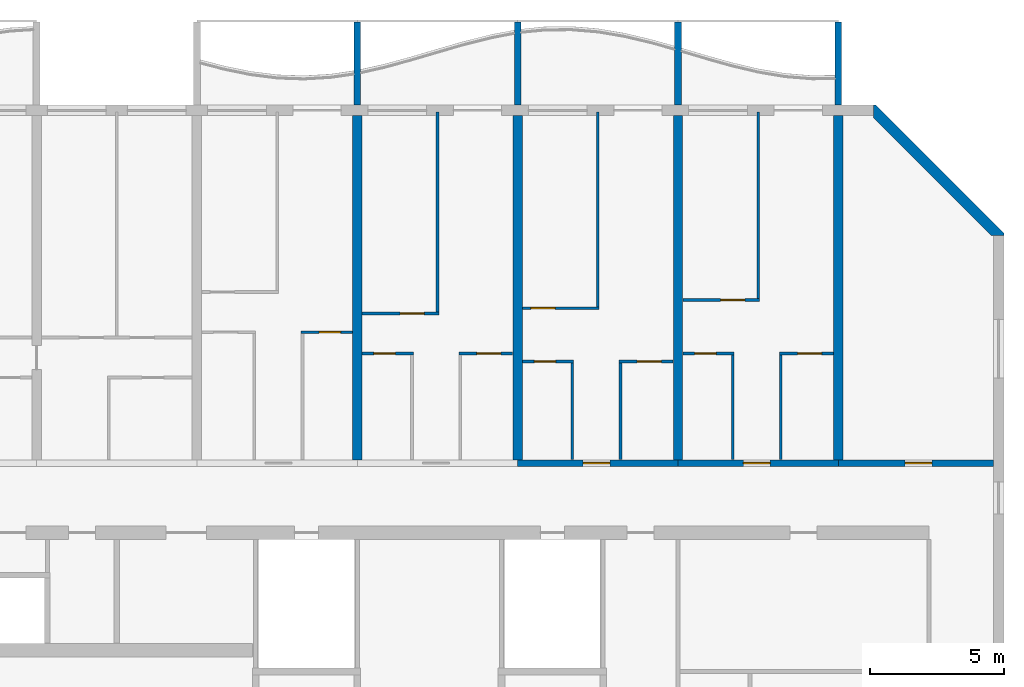
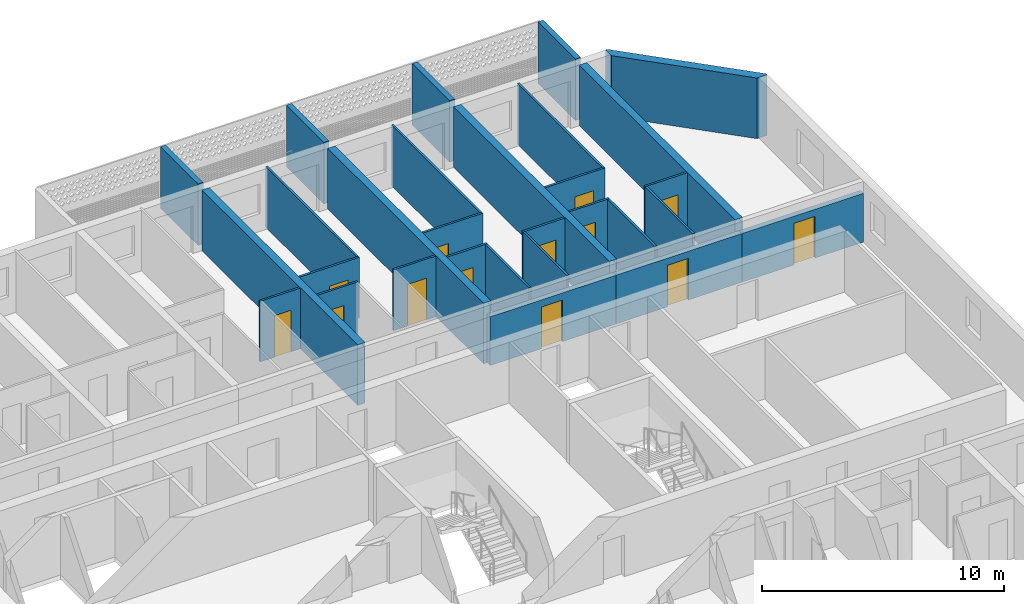
# One storey, part 15 of 27: 29 walls, 13 doors, 13 openings.
"""IFC4 building model written with IfcOpenShell, lengths in metres."""

import ifcopenshell
import ifcopenshell.guid

model = None  # the IFC model being written
_history = None  # IfcOwnerHistory: only IFC2X3 demands one
_inside = {}  # id of a spatial element -> (the spatial element, [elements in it])
_under = {}  # id of a project, library or spatial element -> (it, [spatial elements below it])
_declared = {}  # id of a project -> (the project, [libraries it declares])
_typed = {}  # id of a type object -> (the type object, [elements of that type])
_made_of = {}  # id of a material, layer set ... -> (it, [elements and type objects made of it])


def new_model(schema):
    """Start an empty IFC model of exactly this schema.

    Asked for "IFC4X3", IfcOpenShell would pick the latest addendum, in which some entities
    have other attributes; the version numbers below select the first issue.
    IFC2X3 requires an IfcOwnerHistory on every rooted entity: one is made here for all.
    """
    global model, _history
    if schema == "IFC4X3":
        model = ifcopenshell.file(schema_version=(4, 3, 0, 0))
    else:
        model = ifcopenshell.file(schema=schema)
    _inside.clear()
    _under.clear()
    _declared.clear()
    _typed.clear()
    _made_of.clear()
    _history = None
    if model.schema == "IFC2X3":
        org = make("IfcOrganization", Name="unknown")
        user = make(
            "IfcPersonAndOrganization",
            ThePerson=make("IfcPerson", FamilyName="unknown"),
            TheOrganization=org,
        )
        app = make(
            "IfcApplication",
            ApplicationDeveloper=org,
            Version="unknown",
            ApplicationFullName="unknown",
            ApplicationIdentifier="unknown",
        )
        _history = make(
            "IfcOwnerHistory",
            OwningUser=user,
            OwningApplication=app,
            ChangeAction="ADDED",
            CreationDate=0,
        )
    return model


def make(cls, **values):
    """One entity of the class cls with the attributes given. An attribute that is None is left unset."""
    return model.create_entity(
        cls, **{name: value for name, value in values.items() if value is not None}
    )


def rooted(cls, **values):
    """An entity with a GlobalId (a new one), such as an element, a storey or a relation."""
    return make(cls, GlobalId=ifcopenshell.guid.new(), OwnerHistory=_history, **values)


def si_unit(unit_type, name, prefix=None):
    """IfcSIUnit, for example si_unit("LENGTHUNIT", "METRE", prefix="MILLI")."""
    return make("IfcSIUnit", UnitType=unit_type, Prefix=prefix, Name=name)


def assignment(units):
    """IfcUnitAssignment: the units of a project."""
    return None if units is None else make("IfcUnitAssignment", Units=units)


def point(xyz):
    """IfcCartesianPoint."""
    return None if xyz is None else make("IfcCartesianPoint", Coordinates=xyz)


def direction(xyz):
    """IfcDirection."""
    return None if xyz is None else make("IfcDirection", DirectionRatios=xyz)


def frame(location, z_axis=None, x_axis=None):
    """IfcAxis2Placement3D, a coordinate frame: its origin and axes. An axis left out is left unset."""
    return make(
        "IfcAxis2Placement3D",
        Location=point(location),
        Axis=direction(z_axis),
        RefDirection=direction(x_axis),
    )


def frame_2d(location, x_axis=None):
    """IfcAxis2Placement2D, a coordinate frame in the plane: its origin and x axis."""
    return make(
        "IfcAxis2Placement2D", Location=point(location), RefDirection=direction(x_axis)
    )


def origin():
    """The frame at (0, 0, 0) with its axes left unset."""
    return frame((0.0, 0.0, 0.0))


def place(relative_to, where):
    """IfcLocalPlacement: puts the frame where relative to a parent placement (None: the world)."""
    return make(
        "IfcLocalPlacement", PlacementRelTo=relative_to, RelativePlacement=where
    )


def context(
    kind, dimensions, precision=None, world=None, true_north=None, identifier=None
):
    """IfcGeometricRepresentationContext, for example the 3D "Model" context."""
    return make(
        "IfcGeometricRepresentationContext",
        ContextIdentifier=identifier,
        ContextType=kind,
        CoordinateSpaceDimension=dimensions,
        Precision=precision,
        WorldCoordinateSystem=world,
        TrueNorth=true_north,
    )


def subcontext(parent, identifier, kind, view, scale=None):
    """IfcGeometricRepresentationSubContext, for example "Body" below "Model"."""
    return make(
        "IfcGeometricRepresentationSubContext",
        ContextIdentifier=identifier,
        ContextType=kind,
        ParentContext=parent,
        TargetScale=scale,
        TargetView=view,
    )


def project(units=None, contexts=None):
    """IfcProject with its units and contexts."""
    return rooted(
        "IfcProject",
        Name="project",
        RepresentationContexts=contexts,
        UnitsInContext=assignment(units),
    )


def spatial(cls, under=None, at=None, **own):
    """A site, building, storey or space (cls), placed at a placement, below another one or the project."""
    s = rooted(cls, ObjectPlacement=at, **own)
    if under is not None:
        _under.setdefault(under.id(), (under, []))[1].append(s)
    return s


def polyline(points):
    """IfcPolyline through the points."""
    return make("IfcPolyline", Points=[point(p) for p in points])


def profile(cls, at=None, kind="AREA", **sizes):
    """A parametric profile (cls). Its sizes go by their IFC names, for example OverallWidth=200.0."""
    return make(cls, ProfileType=kind, Position=at, **sizes)


def rectangle(**sizes):
    """IfcRectangleProfileDef."""
    return profile("IfcRectangleProfileDef", **sizes)


def outline(outer, holes=None, kind="AREA"):
    """IfcArbitraryClosedProfileDef: a profile drawn as a closed curve; with holes, ...WithVoids."""
    if holes is None:
        return make("IfcArbitraryClosedProfileDef", ProfileType=kind, OuterCurve=outer)
    return make(
        "IfcArbitraryProfileDefWithVoids",
        ProfileType=kind,
        OuterCurve=outer,
        InnerCurves=holes,
    )


def extrude(swept, where, along, depth):
    """IfcExtrudedAreaSolid: the profile swept, set in the frame where, extruded along a direction by depth."""
    return make(
        "IfcExtrudedAreaSolid",
        SweptArea=swept,
        Position=where,
        ExtrudedDirection=direction(along),
        Depth=depth,
    )


def shape(context_of_items, identifier, shape_type, items):
    """IfcShapeRepresentation: the items that make up one representation, for example the "Body"."""
    return make(
        "IfcShapeRepresentation",
        ContextOfItems=context_of_items,
        RepresentationIdentifier=identifier,
        RepresentationType=shape_type,
        Items=items,
    )


def source(mapping_origin, context_of_items, identifier, shape_type, items):
    """IfcRepresentationMap: a shape defined once, which mapped items show again and again."""
    return make(
        "IfcRepresentationMap",
        MappingOrigin=mapping_origin,
        MappedRepresentation=shape(context_of_items, identifier, shape_type, items),
    )


def transform(
    local_origin,
    x_axis=None,
    y_axis=None,
    z_axis=None,
    scale=None,
    scale2=None,
    scale3=None,
    uniform=True,
):
    """IfcCartesianTransformationOperator3D, or its non-uniform kind. x_axis, y_axis, z_axis: its Axis1, 2, 3."""
    if uniform:
        return make(
            "IfcCartesianTransformationOperator3D",
            Axis1=direction(x_axis),
            Axis2=direction(y_axis),
            LocalOrigin=point(local_origin),
            Scale=scale,
            Axis3=direction(z_axis),
        )
    return make(
        "IfcCartesianTransformationOperator3DnonUniform",
        Axis1=direction(x_axis),
        Axis2=direction(y_axis),
        LocalOrigin=point(local_origin),
        Scale=scale,
        Axis3=direction(z_axis),
        Scale2=scale2,
        Scale3=scale3,
    )


def mapped(mapping_source, mapping_target):
    """IfcMappedItem: shows the shape of a source again, moved by a transform."""
    return make(
        "IfcMappedItem", MappingSource=mapping_source, MappingTarget=mapping_target
    )


def material(Name=None, Category=None):
    """IfcMaterial."""
    return make("IfcMaterial", Name=Name, Category=Category)


def layer(
    of_material, thickness, ventilated=None, Name=None, Category=None, Priority=None
):
    """IfcMaterialLayer: one layer of a wall or slab, of a material (None: an air gap)."""
    return make(
        "IfcMaterialLayer",
        Material=of_material,
        LayerThickness=thickness,
        IsVentilated=ventilated,
        Name=Name,
        Category=Category,
        Priority=Priority,
    )


def layer_set(layers, Name=None):
    """IfcMaterialLayerSet."""
    return make("IfcMaterialLayerSet", MaterialLayers=layers, LayerSetName=Name)


def made_of(thing, what):
    """Note that an element or type object is made of a material, layer set ...; save() writes the relation."""
    if what is not None:
        _made_of.setdefault(what.id(), (what, []))[1].append(thing)
    return thing


def type_object(cls, material=None, **own):
    """A type object (cls), such as IfcWallType, which elements share."""
    return made_of(rooted(cls, **own), material)


def element(
    cls,
    number,
    at=None,
    inside=None,
    cuts=None,
    type_object=None,
    material=None,
    context=None,
    identifier="Body",
    shape_type=None,
    held_by="IfcProductDefinitionShape",
    body=None,
    shapes=None,
    **own,
):
    """One element of the class cls, such as IfcWall. Its Tag is "e" and its number.

    at: its placement. inside: the storey or other place that contains it. cuts: it is an
    opening in that element (IfcRelVoidsElement). A single representation is given by context,
    identifier, shape_type and body (its items); several are given by shapes. held_by: the class
    of the entity that holds the representations. save() writes the other relations.
    """
    e = rooted(cls, Tag="e%d" % number, ObjectPlacement=at, **own)
    if body is not None:
        shapes = [shape(context, identifier, shape_type, body)]
    if shapes is not None:
        e.Representation = make(held_by, Representations=shapes)
    if inside is not None:
        _inside.setdefault(inside.id(), (inside, []))[1].append(e)
    if cuts is not None:
        rooted(
            "IfcRelVoidsElement", RelatingBuildingElement=cuts, RelatedOpeningElement=e
        )
    if type_object is not None:
        _typed.setdefault(type_object.id(), (type_object, []))[1].append(e)
    return made_of(e, material)


def fill(opening, filler):
    """IfcRelFillsElement: the door or window that sits in an opening."""
    return rooted(
        "IfcRelFillsElement",
        RelatingOpeningElement=opening,
        RelatedBuildingElement=filler,
    )


def aggregate(whole, parts):
    """IfcRelAggregates: a whole, such as a stair, and the parts it consists of."""
    return rooted("IfcRelAggregates", RelatingObject=whole, RelatedObjects=parts)


def save(model, path):
    """Write the relations noted so far, then the file.

    IfcRelAggregates (storeys below a building ...), IfcRelContainedInSpatialStructure (elements
    in a storey), IfcRelDefinesByType, IfcRelAssociatesMaterial and IfcRelDeclares: one each for
    every whole, place, type object, material and project.
    """
    for whole, parts in _under.values():
        aggregate(whole, parts)
    for where, things in _inside.values():
        rooted(
            "IfcRelContainedInSpatialStructure",
            RelatedElements=things,
            RelatingStructure=where,
        )
    for kind, things in _typed.values():
        rooted("IfcRelDefinesByType", RelatedObjects=things, RelatingType=kind)
    for what, things in _made_of.values():
        rooted("IfcRelAssociatesMaterial", RelatedObjects=things, RelatingMaterial=what)
    for by, libraries in _declared.values():
        rooted("IfcRelDeclares", RelatingContext=by, RelatedDefinitions=libraries)
    model.write(path)


model = new_model("IFC4")

# Units and contexts
model_context = context("Model", 3, precision=1e-05, world=origin(), true_north=direction((0.0, 1.0)))
body_context = subcontext(model_context, "Body", "Model", "MODEL_VIEW")
ifc_project = project(units=[si_unit("LENGTHUNIT", "METRE"), si_unit("AREAUNIT", "SQUARE_METRE"), si_unit("VOLUMEUNIT", "CUBIC_METRE"), si_unit("PLANEANGLEUNIT", "RADIAN"), si_unit("MASSUNIT", "GRAM", prefix="KILO")], contexts=[model_context])

# Site, building, storey
site_placement = place(None, origin())
site = spatial("IfcSite", under=ifc_project, at=site_placement, CompositionType="ELEMENT")
building_placement = place(site_placement, origin())
building = spatial("IfcBuilding", under=site, at=building_placement, Name="Poui Terraces", CompositionType="ELEMENT")
storey_placement = place(building_placement, frame((0.0, 0.0, 92.699951171875)))
storey = spatial("IfcBuildingStorey", under=building, at=storey_placement, Name="L25", CompositionType="ELEMENT", Elevation=92.699951171875)

# Wall, opening, door
ifc_material_1 = material(Name="Concrete 65 MPa", Category="concrete")
ifc_layer_1 = layer(ifc_material_1, 0.25)
ifc_layer_set_1 = layer_set([ifc_layer_1], Name="Concrete 65 MPa")
wall_type_1 = type_object("IfcWallType", Name="CORRIDOR WALL 250 65MPa", PredefinedType="SHEAR", material=ifc_layer_set_1)
wall_1_placement = place(storey_placement, frame((78.0, 30.39990234375, 0.0), z_axis=(0.0, 0.0, 1.0), x_axis=(1.0, 0.0, 0.0)))
wall_1 = element("IfcWall", 1, at=wall_1_placement, inside=storey, type_object=wall_type_1, Name="CORRIDOR WALL LINE E BAY 13", PredefinedType="SHEAR", context=body_context, shape_type="SweptSolid", body=[
    extrude(rectangle(XDim=6.0, YDim=0.25, at=frame_2d((3.0, 0.0))), origin(), (0.0, 0.0, 1.0), 2.4599609375),
])
opening_1_placement = place(wall_1_placement, frame((2.449951171875, 0.0, 0.0)))
opening_1 = element("IfcOpeningElement", 2, at=opening_1_placement, cuts=wall_1, Name="Opening FD30S", PredefinedType="OPENING", context=body_context, shape_type="SweptSolid", body=[
    extrude(rectangle(XDim=1.0, YDim=2.10009765625, at=frame_2d((0.5, 1.050048828125))), frame((0.0, 0.135009765625, 0.0), z_axis=(0.0, -1.0, 0.0), x_axis=(1.0, 0.0, 0.0)), (0.0, 0.0, 1.0), 0.27001953125),
])
ifc_material_2 = material(Name="Steel fire door", Category="steel")
door_type_1 = type_object("IfcDoorType", Name="FLAT ENTRANCE DOOR 1000 X 2100", OperationType="NOTDEFINED", PredefinedType="DOOR", material=ifc_material_2)
door_1_placement = place(opening_1_placement, origin())
door_1 = element("IfcDoor", 3, at=door_1_placement, inside=storey, type_object=door_type_1, Name="FLAT ENTRANCE DOOR 076", OperationType="SINGLE_SWING_LEFT", OverallHeight=2.10009765625, OverallWidth=1.0, PredefinedType="DOOR", context=body_context, shape_type="SweptSolid", body=[
    extrude(rectangle(XDim=1.0, YDim=2.10009765625, at=frame_2d((0.5, 1.050048828125))), frame((0.0, 0.02490234375, 0.0), z_axis=(0.0, -1.0, 0.0), x_axis=(1.0, 0.0, 0.0)), (0.0, 0.0, 1.0), 0.050048828125),
])
fill(opening_1, door_1)

wall_2_placement = place(storey_placement, frame((84.0, 30.39990234375, 0.0), z_axis=(0.0, 0.0, 1.0), x_axis=(1.0, 0.0, 0.0)))
wall_2 = element("IfcWall", 4, at=wall_2_placement, inside=storey, type_object=wall_type_1, Name="CORRIDOR WALL LINE E BAY 14", PredefinedType="SHEAR", context=body_context, shape_type="SweptSolid", body=[
    extrude(rectangle(XDim=6.0, YDim=0.25, at=frame_2d((3.0, 0.0))), origin(), (0.0, 0.0, 1.0), 2.4599609375),
])
opening_2_placement = place(wall_2_placement, frame((2.449951171875, 0.0, 0.0)))
opening_2 = element("IfcOpeningElement", 5, at=opening_2_placement, cuts=wall_2, Name="Opening FD30S", PredefinedType="OPENING", context=body_context, shape_type="SweptSolid", body=[
    extrude(rectangle(XDim=1.0, YDim=2.10009765625, at=frame_2d((0.5, 1.050048828125))), frame((0.0, 0.135009765625, 0.0), z_axis=(0.0, -1.0, 0.0), x_axis=(1.0, 0.0, 0.0)), (0.0, 0.0, 1.0), 0.27001953125),
])
door_2_placement = place(opening_2_placement, origin())
door_2 = element("IfcDoor", 6, at=door_2_placement, inside=storey, type_object=door_type_1, Name="FLAT ENTRANCE DOOR 080", OperationType="SINGLE_SWING_LEFT", OverallHeight=2.10009765625, OverallWidth=1.0, PredefinedType="DOOR", context=body_context, shape_type="SweptSolid", body=[
    extrude(rectangle(XDim=1.0, YDim=2.10009765625, at=frame_2d((0.5, 1.050048828125))), frame((0.0, 0.02490234375, 0.0), z_axis=(0.0, -1.0, 0.0), x_axis=(1.0, 0.0, 0.0)), (0.0, 0.0, 1.0), 0.050048828125),
])
fill(opening_2, door_2)

wall_3_placement = place(storey_placement, frame((90.0, 30.39990234375, 0.0), z_axis=(0.0, 0.0, 1.0), x_axis=(1.0, 0.0, 0.0)))
wall_3 = element("IfcWall", 7, at=wall_3_placement, inside=storey, type_object=wall_type_1, Name="CORRIDOR WALL LINE E BAY 15", PredefinedType="SHEAR", context=body_context, shape_type="SweptSolid", body=[
    extrude(rectangle(XDim=5.800048828125, YDim=0.25, at=frame_2d((2.89990234375, 0.0))), origin(), (0.0, 0.0, 1.0), 2.4599609375),
])
opening_3_placement = place(wall_3_placement, frame((2.5, 0.0, 0.0)))
opening_3 = element("IfcOpeningElement", 8, at=opening_3_placement, cuts=wall_3, Name="Opening D100", PredefinedType="OPENING", context=body_context, shape_type="SweptSolid", body=[
    extrude(rectangle(XDim=1.0, YDim=2.10009765625, at=frame_2d((0.5, 1.050048828125))), frame((0.0, 0.135009765625, 0.0), z_axis=(0.0, -1.0, 0.0), x_axis=(1.0, 0.0, 0.0)), (0.0, 0.0, 1.0), 0.27001953125),
])
ifc_material_3 = material(Name="Solid core timber door", Category="wood")
door_type_2 = type_object("IfcDoorType", Name="ACCESSIBLE INTERNAL DOOR 1000 X 2100", OperationType="NOTDEFINED", PredefinedType="DOOR", material=ifc_material_3)
door_3_placement = place(opening_3_placement, origin())
door_3 = element("IfcDoor", 9, at=door_3_placement, inside=storey, type_object=door_type_2, Name="ACCESSIBLE INTERNAL DOOR 082", OperationType="SINGLE_SWING_LEFT", OverallHeight=2.10009765625, OverallWidth=1.0, PredefinedType="DOOR", context=body_context, shape_type="SweptSolid", body=[
    extrude(rectangle(XDim=1.0, YDim=2.10009765625, at=frame_2d((0.5, 1.050048828125))), frame((0.0, 0.02490234375, 0.0), z_axis=(0.0, -1.0, 0.0), x_axis=(1.0, 0.0, 0.0)), (0.0, 0.0, 1.0), 0.050048828125),
])
fill(opening_3, door_3)

# Walls
ifc_layer_2 = layer(ifc_material_1, 0.35009765625)
ifc_layer_set_2 = layer_set([ifc_layer_2], Name="Concrete 65 MPa")
wall_type_2 = type_object("IfcWallType", Name="CROSS WALL 350 65MPa", PredefinedType="SHEAR", material=ifc_layer_set_2)
for number, where, z_axis, x_axis, name in (
    (10, (72.0, 30.52490234375, 0.0), (0.0, 0.0, 1.0), (0.0, 1.0, 0.0), "CROSS WALL LINE 13 NORTH"),
    (11, (78.0, 30.52490234375, 0.0), (0.0, 0.0, 1.0), (0.0, 1.0, 0.0), "CROSS WALL LINE 14 NORTH"),
    (12, (84.0, 30.52490234375, 0.0), (0.0, 0.0, 1.0), (0.0, 1.0, 0.0), "CROSS WALL LINE 15 NORTH"),
    (13, (90.0, 30.52490234375, 0.0), (0.0, 0.0, 1.0), (0.0, 1.0, 0.0), "CROSS WALL LINE 16 NORTH"),
):
    element("IfcWall", number, at=place(storey_placement, frame(where, z_axis=z_axis, x_axis=x_axis)), inside=storey, type_object=wall_type_2, Name=name, PredefinedType="SHEAR", context=body_context, shape_type="SweptSolid", body=[
        extrude(rectangle(XDim=12.875, YDim=0.35009765625, at=frame_2d((6.4375, 0.0))), origin(), (0.0, 0.0, 1.0), 3.06005859375),
    ])

# Wall, opening, door
ifc_material_4 = material(Name="Plasterboard partition")
ifc_layer_3 = layer(ifc_material_4, 0.10009765625)
ifc_layer_set_3 = layer_set([ifc_layer_3], Name="Plasterboard partition")
wall_type_3 = type_object("IfcWallType", Name="FLAT PARTITION 100", PredefinedType="PARTITIONING", material=ifc_layer_set_3)
wall_4_placement = place(storey_placement, frame((78.18505859375, 34.199951171875, 0.0), z_axis=(0.0, 0.0, 1.0), x_axis=(1.0, 0.0, 0.0)))
wall_4 = element("IfcWall", 14, at=wall_4_placement, inside=storey, type_object=wall_type_3, Name="FLAT PARTITION 100", PredefinedType="PARTITIONING", context=body_context, shape_type="SweptSolid", body=[
    extrude(rectangle(XDim=1.9150390625, YDim=0.10009765625, at=frame_2d((0.95751953125, 0.0))), origin(), (0.0, 0.0, 1.0), 3.06005859375),
])
opening_4_placement = place(wall_4_placement, frame((0.43994140625, 0.0, 0.0)))
opening_4 = element("IfcOpeningElement", 15, at=opening_4_placement, cuts=wall_4, Name="Opening D80", PredefinedType="OPENING", context=body_context, shape_type="SweptSolid", body=[
    extrude(rectangle(XDim=0.800048828125, YDim=2.10009765625, at=frame_2d((0.39990234375, 1.050048828125))), frame((0.0, 0.06005859375, 0.0), z_axis=(0.0, -1.0, 0.0), x_axis=(1.0, 0.0, 0.0)), (0.0, 0.0, 1.0), 0.1201171875),
])
door_type_3 = type_object("IfcDoorType", Name="BATHROOM, LAUNDRY AND STORE DOOR 800 X 2100", OperationType="NOTDEFINED", PredefinedType="DOOR", material=ifc_material_3)
door_4_placement = place(opening_4_placement, frame((0.800048828125, 0.0, 0.0), z_axis=(0.0, 0.0, 1.0), x_axis=(-1.0, 0.0, 0.0)))
door_4 = element("IfcDoor", 16, at=door_4_placement, inside=storey, type_object=door_type_3, Name="BATHROOM, LAUNDRY AND STORE DOOR 075", OperationType="SINGLE_SWING_RIGHT", OverallHeight=2.10009765625, OverallWidth=0.800048828125, PredefinedType="DOOR", context=body_context, shape_type="SweptSolid", body=[
    extrude(rectangle(XDim=0.800048828125, YDim=2.10009765625, at=frame_2d((0.39990234375, 1.050048828125))), frame((0.0, 0.02490234375, 0.0), z_axis=(0.0, -1.0, 0.0), x_axis=(1.0, 0.0, 0.0)), (0.0, 0.0, 1.0), 0.050048828125),
])
fill(opening_4, door_4)

wall_5_placement = place(storey_placement, frame((81.800048828125, 34.199951171875, 0.0), z_axis=(0.0, 0.0, 1.0), x_axis=(1.0, 0.0, 0.0)))
wall_5 = element("IfcWall", 17, at=wall_5_placement, inside=storey, type_object=wall_type_3, Name="FLAT PARTITION 100", PredefinedType="PARTITIONING", context=body_context, shape_type="SweptSolid", body=[
    extrude(rectangle(XDim=2.014892578125, YDim=0.10009765625, at=frame_2d((1.00732421875, 0.0))), origin(), (0.0, 0.0, 1.0), 3.06005859375),
])
opening_5_placement = place(wall_5_placement, frame((0.675048828125, 0.0, 0.0)))
opening_5 = element("IfcOpeningElement", 18, at=opening_5_placement, cuts=wall_5, Name="Opening D90", PredefinedType="OPENING", context=body_context, shape_type="SweptSolid", body=[
    extrude(rectangle(XDim=0.89990234375, YDim=2.10009765625, at=frame_2d((0.449951171875, 1.050048828125))), frame((0.0, 0.06005859375, 0.0), z_axis=(0.0, -1.0, 0.0), x_axis=(1.0, 0.0, 0.0)), (0.0, 0.0, 1.0), 0.1201171875),
])
door_type_4 = type_object("IfcDoorType", Name="INTERNAL DOOR 900 X 2100", OperationType="NOTDEFINED", PredefinedType="DOOR", material=ifc_material_3)
door_5_placement = place(opening_5_placement, frame((0.89990234375, 0.0, 0.0), z_axis=(0.0, 0.0, 1.0), x_axis=(-1.0, 0.0, 0.0)))
door_5 = element("IfcDoor", 19, at=door_5_placement, inside=storey, type_object=door_type_4, Name="INTERNAL DOOR 077", OperationType="SINGLE_SWING_LEFT", OverallHeight=2.10009765625, OverallWidth=0.89990234375, PredefinedType="DOOR", context=body_context, shape_type="SweptSolid", body=[
    extrude(rectangle(XDim=0.89990234375, YDim=2.10009765625, at=frame_2d((0.449951171875, 1.050048828125))), frame((0.0, 0.02490234375, 0.0), z_axis=(0.0, -1.0, 0.0), x_axis=(1.0, 0.0, 0.0)), (0.0, 0.0, 1.0), 0.050048828125),
])
fill(opening_5, door_5)

wall_6_placement = place(storey_placement, frame((72.18505859375, 34.5, 0.0), z_axis=(0.0, 0.0, 1.0), x_axis=(1.0, 0.0, 0.0)))
wall_6 = element("IfcWall", 20, at=wall_6_placement, inside=storey, type_object=wall_type_3, Name="FLAT PARTITION 100", PredefinedType="PARTITIONING", context=body_context, shape_type="SweptSolid", body=[
    extrude(rectangle(XDim=1.9150390625, YDim=0.10009765625, at=frame_2d((0.95751953125, 0.0))), origin(), (0.0, 0.0, 1.0), 3.06005859375),
])
opening_6_placement = place(wall_6_placement, frame((0.43994140625, 0.0, 0.0)))
opening_6 = element("IfcOpeningElement", 21, at=opening_6_placement, cuts=wall_6, Name="Opening D80", PredefinedType="OPENING", context=body_context, shape_type="SweptSolid", body=[
    extrude(rectangle(XDim=0.800048828125, YDim=2.10009765625, at=frame_2d((0.39990234375, 1.050048828125))), frame((0.0, 0.06005859375, 0.0), z_axis=(0.0, -1.0, 0.0), x_axis=(1.0, 0.0, 0.0)), (0.0, 0.0, 1.0), 0.1201171875),
])
door_6_placement = place(opening_6_placement, frame((0.800048828125, 0.0, 0.0), z_axis=(0.0, 0.0, 1.0), x_axis=(-1.0, 0.0, 0.0)))
door_6 = element("IfcDoor", 22, at=door_6_placement, inside=storey, type_object=door_type_3, Name="BATHROOM, LAUNDRY AND STORE DOOR 070", OperationType="SINGLE_SWING_LEFT", OverallHeight=2.10009765625, OverallWidth=0.800048828125, PredefinedType="DOOR", context=body_context, shape_type="SweptSolid", body=[
    extrude(rectangle(XDim=0.800048828125, YDim=2.10009765625, at=frame_2d((0.39990234375, 1.050048828125))), frame((0.0, 0.02490234375, 0.0), z_axis=(0.0, -1.0, 0.0), x_axis=(1.0, 0.0, 0.0)), (0.0, 0.0, 1.0), 0.050048828125),
])
fill(opening_6, door_6)

wall_7_placement = place(storey_placement, frame((75.800048828125, 34.5, 0.0), z_axis=(0.0, 0.0, 1.0), x_axis=(1.0, 0.0, 0.0)))
wall_7 = element("IfcWall", 23, at=wall_7_placement, inside=storey, type_object=wall_type_3, Name="FLAT PARTITION 100", PredefinedType="PARTITIONING", context=body_context, shape_type="SweptSolid", body=[
    extrude(rectangle(XDim=2.014892578125, YDim=0.10009765625, at=frame_2d((1.00732421875, 0.0))), origin(), (0.0, 0.0, 1.0), 3.06005859375),
])
opening_7_placement = place(wall_7_placement, frame((0.675048828125, 0.0, 0.0)))
opening_7 = element("IfcOpeningElement", 24, at=opening_7_placement, cuts=wall_7, Name="Opening D90", PredefinedType="OPENING", context=body_context, shape_type="SweptSolid", body=[
    extrude(rectangle(XDim=0.89990234375, YDim=2.10009765625, at=frame_2d((0.449951171875, 1.050048828125))), frame((0.0, 0.06005859375, 0.0), z_axis=(0.0, -1.0, 0.0), x_axis=(1.0, 0.0, 0.0)), (0.0, 0.0, 1.0), 0.1201171875),
])
door_7_placement = place(opening_7_placement, frame((0.89990234375, 0.0, 0.0), z_axis=(0.0, 0.0, 1.0), x_axis=(-1.0, 0.0, 0.0)))
door_7 = element("IfcDoor", 25, at=door_7_placement, inside=storey, type_object=door_type_4, Name="INTERNAL DOOR 073", OperationType="SINGLE_SWING_RIGHT", OverallHeight=2.10009765625, OverallWidth=0.89990234375, PredefinedType="DOOR", context=body_context, shape_type="SweptSolid", body=[
    extrude(rectangle(XDim=0.89990234375, YDim=2.10009765625, at=frame_2d((0.449951171875, 1.050048828125))), frame((0.0, 0.02490234375, 0.0), z_axis=(0.0, -1.0, 0.0), x_axis=(1.0, 0.0, 0.0)), (0.0, 0.0, 1.0), 0.050048828125),
])
fill(opening_7, door_7)

wall_8_placement = place(storey_placement, frame((84.18505859375, 34.5, 0.0), z_axis=(0.0, 0.0, 1.0), x_axis=(1.0, 0.0, 0.0)))
wall_8 = element("IfcWall", 26, at=wall_8_placement, inside=storey, type_object=wall_type_3, Name="FLAT PARTITION 100", PredefinedType="PARTITIONING", context=body_context, shape_type="SweptSolid", body=[
    extrude(rectangle(XDim=1.9150390625, YDim=0.10009765625, at=frame_2d((0.95751953125, 0.0))), origin(), (0.0, 0.0, 1.0), 3.06005859375),
])
opening_8_placement = place(wall_8_placement, frame((0.43994140625, 0.0, 0.0)))
opening_8 = element("IfcOpeningElement", 27, at=opening_8_placement, cuts=wall_8, Name="Opening D80", PredefinedType="OPENING", context=body_context, shape_type="SweptSolid", body=[
    extrude(rectangle(XDim=0.800048828125, YDim=2.10009765625, at=frame_2d((0.39990234375, 1.050048828125))), frame((0.0, 0.06005859375, 0.0), z_axis=(0.0, -1.0, 0.0), x_axis=(1.0, 0.0, 0.0)), (0.0, 0.0, 1.0), 0.1201171875),
])
door_8_placement = place(opening_8_placement, frame((0.800048828125, 0.0, 0.0), z_axis=(0.0, 0.0, 1.0), x_axis=(-1.0, 0.0, 0.0)))
door_8 = element("IfcDoor", 28, at=door_8_placement, inside=storey, type_object=door_type_3, Name="BATHROOM, LAUNDRY AND STORE DOOR 078", OperationType="SINGLE_SWING_LEFT", OverallHeight=2.10009765625, OverallWidth=0.800048828125, PredefinedType="DOOR", context=body_context, shape_type="SweptSolid", body=[
    extrude(rectangle(XDim=0.800048828125, YDim=2.10009765625, at=frame_2d((0.39990234375, 1.050048828125))), frame((0.0, 0.02490234375, 0.0), z_axis=(0.0, -1.0, 0.0), x_axis=(1.0, 0.0, 0.0)), (0.0, 0.0, 1.0), 0.050048828125),
])
fill(opening_8, door_8)

wall_9_placement = place(storey_placement, frame((87.800048828125, 34.5, 0.0), z_axis=(0.0, 0.0, 1.0), x_axis=(1.0, 0.0, 0.0)))
wall_9 = element("IfcWall", 29, at=wall_9_placement, inside=storey, type_object=wall_type_3, Name="FLAT PARTITION 100", PredefinedType="PARTITIONING", context=body_context, shape_type="SweptSolid", body=[
    extrude(rectangle(XDim=2.014892578125, YDim=0.10009765625, at=frame_2d((1.00732421875, 0.0))), origin(), (0.0, 0.0, 1.0), 3.06005859375),
])
opening_9_placement = place(wall_9_placement, frame((0.675048828125, 0.0, 0.0)))
opening_9 = element("IfcOpeningElement", 30, at=opening_9_placement, cuts=wall_9, Name="Opening D90", PredefinedType="OPENING", context=body_context, shape_type="SweptSolid", body=[
    extrude(rectangle(XDim=0.89990234375, YDim=2.10009765625, at=frame_2d((0.449951171875, 1.050048828125))), frame((0.0, 0.06005859375, 0.0), z_axis=(0.0, -1.0, 0.0), x_axis=(1.0, 0.0, 0.0)), (0.0, 0.0, 1.0), 0.1201171875),
])
door_9_placement = place(opening_9_placement, frame((0.89990234375, 0.0, 0.0), z_axis=(0.0, 0.0, 1.0), x_axis=(-1.0, 0.0, 0.0)))
door_9 = element("IfcDoor", 31, at=door_9_placement, inside=storey, type_object=door_type_4, Name="INTERNAL DOOR 081", OperationType="SINGLE_SWING_RIGHT", OverallHeight=2.10009765625, OverallWidth=0.89990234375, PredefinedType="DOOR", context=body_context, shape_type="SweptSolid", body=[
    extrude(rectangle(XDim=0.89990234375, YDim=2.10009765625, at=frame_2d((0.449951171875, 1.050048828125))), frame((0.0, 0.02490234375, 0.0), z_axis=(0.0, -1.0, 0.0), x_axis=(1.0, 0.0, 0.0)), (0.0, 0.0, 1.0), 0.050048828125),
])
fill(opening_9, door_9)

wall_10_placement = place(storey_placement, frame((69.89990234375, 35.300048828125, 0.0), z_axis=(0.0, 0.0, 1.0), x_axis=(1.0, 0.0, 0.0)))
wall_10 = element("IfcWall", 32, at=wall_10_placement, inside=storey, type_object=wall_type_3, Name="FLAT PARTITION 100", PredefinedType="PARTITIONING", context=body_context, shape_type="SweptSolid", body=[
    extrude(rectangle(XDim=1.9150390625, YDim=0.10009765625, at=frame_2d((0.95751953125, 0.0))), origin(), (0.0, 0.0, 1.0), 3.06005859375),
])
opening_10_placement = place(wall_10_placement, frame((0.675048828125, 0.0, 0.0)))
opening_10 = element("IfcOpeningElement", 33, at=opening_10_placement, cuts=wall_10, Name="Opening D80", PredefinedType="OPENING", context=body_context, shape_type="SweptSolid", body=[
    extrude(rectangle(XDim=0.800048828125, YDim=2.10009765625, at=frame_2d((0.39990234375, 1.050048828125))), frame((0.0, 0.06005859375, 0.0), z_axis=(0.0, -1.0, 0.0), x_axis=(1.0, 0.0, 0.0)), (0.0, 0.0, 1.0), 0.1201171875),
])
door_10_placement = place(opening_10_placement, frame((0.800048828125, 0.0, 0.0), z_axis=(0.0, 0.0, 1.0), x_axis=(-1.0, 0.0, 0.0)))
door_10 = element("IfcDoor", 34, at=door_10_placement, inside=storey, type_object=door_type_3, Name="BATHROOM, LAUNDRY AND STORE DOOR 069", OperationType="SINGLE_SWING_LEFT", OverallHeight=2.10009765625, OverallWidth=0.800048828125, PredefinedType="DOOR", context=body_context, shape_type="SweptSolid", body=[
    extrude(rectangle(XDim=0.800048828125, YDim=2.10009765625, at=frame_2d((0.39990234375, 1.050048828125))), frame((0.0, 0.02490234375, 0.0), z_axis=(0.0, -1.0, 0.0), x_axis=(1.0, 0.0, 0.0)), (0.0, 0.0, 1.0), 0.050048828125),
])
fill(opening_10, door_10)

wall_11_placement = place(storey_placement, frame((72.18505859375, 36.0, 0.0), z_axis=(0.0, 0.0, 1.0), x_axis=(1.0, 0.0, 0.0)))
wall_11 = element("IfcWall", 35, at=wall_11_placement, inside=storey, type_object=wall_type_3, Name="FLAT PARTITION 100", PredefinedType="PARTITIONING", context=body_context, shape_type="SweptSolid", body=[
    extrude(rectangle(XDim=2.864990234375, YDim=0.10009765625, at=frame_2d((1.4326171875, 0.0))), origin(), (0.0, 0.0, 1.0), 3.06005859375),
])
opening_11_placement = place(wall_11_placement, frame((1.4150390625, 0.0, 0.0)))
opening_11 = element("IfcOpeningElement", 36, at=opening_11_placement, cuts=wall_11, Name="Opening D90", PredefinedType="OPENING", context=body_context, shape_type="SweptSolid", body=[
    extrude(rectangle(XDim=0.89990234375, YDim=2.10009765625, at=frame_2d((0.449951171875, 1.050048828125))), frame((0.0, 0.06005859375, 0.0), z_axis=(0.0, -1.0, 0.0), x_axis=(1.0, 0.0, 0.0)), (0.0, 0.0, 1.0), 0.1201171875),
])
door_11_placement = place(opening_11_placement, frame((0.89990234375, 0.0, 0.0), z_axis=(0.0, 0.0, 1.0), x_axis=(-1.0, 0.0, 0.0)))
door_11 = element("IfcDoor", 37, at=door_11_placement, inside=storey, type_object=door_type_4, Name="INTERNAL DOOR 071", OperationType="SINGLE_SWING_RIGHT", OverallHeight=2.10009765625, OverallWidth=0.89990234375, PredefinedType="DOOR", context=body_context, shape_type="SweptSolid", body=[
    extrude(rectangle(XDim=0.89990234375, YDim=2.10009765625, at=frame_2d((0.449951171875, 1.050048828125))), frame((0.0, 0.02490234375, 0.0), z_axis=(0.0, -1.0, 0.0), x_axis=(1.0, 0.0, 0.0)), (0.0, 0.0, 1.0), 0.050048828125),
])
fill(opening_11, door_11)

wall_12_placement = place(storey_placement, frame((78.18505859375, 36.199951171875, 0.0), z_axis=(0.0, 0.0, 1.0), x_axis=(1.0, 0.0, 0.0)))
wall_12 = element("IfcWall", 38, at=wall_12_placement, inside=storey, type_object=wall_type_3, Name="FLAT PARTITION 100", PredefinedType="PARTITIONING", context=body_context, shape_type="SweptSolid", body=[
    extrude(rectangle(XDim=2.864990234375, YDim=0.10009765625, at=frame_2d((1.4326171875, 0.0))), origin(), (0.0, 0.0, 1.0), 3.06005859375),
])
opening_12_placement = place(wall_12_placement, frame((0.31494140625, 0.0, 0.0)))
opening_12 = element("IfcOpeningElement", 39, at=opening_12_placement, cuts=wall_12, Name="Opening D90", PredefinedType="OPENING", context=body_context, shape_type="SweptSolid", body=[
    extrude(rectangle(XDim=0.89990234375, YDim=2.10009765625, at=frame_2d((0.449951171875, 1.050048828125))), frame((0.0, 0.06005859375, 0.0), z_axis=(0.0, -1.0, 0.0), x_axis=(1.0, 0.0, 0.0)), (0.0, 0.0, 1.0), 0.1201171875),
])
door_12_placement = place(opening_12_placement, frame((0.89990234375, 0.0, 0.0), z_axis=(0.0, 0.0, 1.0), x_axis=(-1.0, 0.0, 0.0)))
door_12 = element("IfcDoor", 40, at=door_12_placement, inside=storey, type_object=door_type_4, Name="INTERNAL DOOR 074", OperationType="SINGLE_SWING_LEFT", OverallHeight=2.10009765625, OverallWidth=0.89990234375, PredefinedType="DOOR", context=body_context, shape_type="SweptSolid", body=[
    extrude(rectangle(XDim=0.89990234375, YDim=2.10009765625, at=frame_2d((0.449951171875, 1.050048828125))), frame((0.0, 0.02490234375, 0.0), z_axis=(0.0, -1.0, 0.0), x_axis=(1.0, 0.0, 0.0)), (0.0, 0.0, 1.0), 0.050048828125),
])
fill(opening_12, door_12)

wall_13_placement = place(storey_placement, frame((84.18505859375, 36.5, 0.0), z_axis=(0.0, 0.0, 1.0), x_axis=(1.0, 0.0, 0.0)))
wall_13 = element("IfcWall", 41, at=wall_13_placement, inside=storey, type_object=wall_type_3, Name="FLAT PARTITION 100", PredefinedType="PARTITIONING", context=body_context, shape_type="SweptSolid", body=[
    extrude(rectangle(XDim=2.864990234375, YDim=0.10009765625, at=frame_2d((1.4326171875, 0.0))), origin(), (0.0, 0.0, 1.0), 3.06005859375),
])
opening_13_placement = place(wall_13_placement, frame((1.4150390625, 0.0, 0.0)))
opening_13 = element("IfcOpeningElement", 42, at=opening_13_placement, cuts=wall_13, Name="Opening D90", PredefinedType="OPENING", context=body_context, shape_type="SweptSolid", body=[
    extrude(rectangle(XDim=0.89990234375, YDim=2.10009765625, at=frame_2d((0.449951171875, 1.050048828125))), frame((0.0, 0.06005859375, 0.0), z_axis=(0.0, -1.0, 0.0), x_axis=(1.0, 0.0, 0.0)), (0.0, 0.0, 1.0), 0.1201171875),
])
door_13_placement = place(opening_13_placement, frame((0.89990234375, 0.0, 0.0), z_axis=(0.0, 0.0, 1.0), x_axis=(-1.0, 0.0, 0.0)))
door_13 = element("IfcDoor", 43, at=door_13_placement, inside=storey, type_object=door_type_4, Name="INTERNAL DOOR 079", OperationType="SINGLE_SWING_RIGHT", OverallHeight=2.10009765625, OverallWidth=0.89990234375, PredefinedType="DOOR", context=body_context, shape_type="SweptSolid", body=[
    extrude(rectangle(XDim=0.89990234375, YDim=2.10009765625, at=frame_2d((0.449951171875, 1.050048828125))), frame((0.0, 0.02490234375, 0.0), z_axis=(0.0, -1.0, 0.0), x_axis=(1.0, 0.0, 0.0)), (0.0, 0.0, 1.0), 0.050048828125),
])
fill(opening_13, door_13)

# Walls
wall_14_placement = place(storey_placement, frame((75.0, 36.050048828125, 0.0), z_axis=(0.0, 0.0, 1.0), x_axis=(0.0, 1.0, 0.0)))
element("IfcWall", 44, at=wall_14_placement, inside=storey, type_object=wall_type_3, Name="FLAT PARTITION 100", PredefinedType="PARTITIONING", context=body_context, shape_type="SweptSolid", body=[
    extrude(rectangle(XDim=7.489990234375, YDim=0.10009765625, at=frame_2d((3.7451171875, 0.0))), origin(), (0.0, 0.0, 1.0), 3.06005859375),
])
wall_15_placement = place(storey_placement, frame((80.050048828125, 30.534912109375, 0.0), z_axis=(0.0, 0.0, 1.0), x_axis=(0.0, 1.0, 0.0)))
element("IfcWall", 45, at=wall_15_placement, inside=storey, type_object=wall_type_3, Name="FLAT PARTITION 100", PredefinedType="PARTITIONING", context=body_context, shape_type="SweptSolid", body=[
    extrude(rectangle(XDim=3.614990234375, YDim=0.10009765625, at=frame_2d((1.8076171875, 0.0))), origin(), (0.0, 0.0, 1.0), 3.06005859375),
])
wall_16_placement = place(storey_placement, frame((81.0, 36.25, 0.0), z_axis=(0.0, 0.0, 1.0), x_axis=(0.0, 1.0, 0.0)))
element("IfcWall", 46, at=wall_16_placement, inside=storey, type_object=wall_type_3, Name="FLAT PARTITION 100", PredefinedType="PARTITIONING", context=body_context, shape_type="SweptSolid", body=[
    extrude(rectangle(XDim=7.2900390625, YDim=0.10009765625, at=frame_2d((3.64501953125, 0.0))), origin(), (0.0, 0.0, 1.0), 3.06005859375),
])
wall_17_placement = place(storey_placement, frame((81.85009765625, 30.534912109375, 0.0), z_axis=(0.0, 0.0, 1.0), x_axis=(0.0, 1.0, 0.0)))
element("IfcWall", 47, at=wall_17_placement, inside=storey, type_object=wall_type_3, Name="FLAT PARTITION 100", PredefinedType="PARTITIONING", context=body_context, shape_type="SweptSolid", body=[
    extrude(rectangle(XDim=3.614990234375, YDim=0.10009765625, at=frame_2d((1.8076171875, 0.0))), origin(), (0.0, 0.0, 1.0), 3.06005859375),
])
wall_18_placement = place(storey_placement, frame((86.050048828125, 30.534912109375, 0.0), z_axis=(0.0, 0.0, 1.0), x_axis=(0.0, 1.0, 0.0)))
element("IfcWall", 48, at=wall_18_placement, inside=storey, type_object=wall_type_3, Name="FLAT PARTITION 100", PredefinedType="PARTITIONING", context=body_context, shape_type="SweptSolid", body=[
    extrude(rectangle(XDim=3.9150390625, YDim=0.10009765625, at=frame_2d((1.95751953125, 0.0))), origin(), (0.0, 0.0, 1.0), 3.06005859375),
])
wall_19_placement = place(storey_placement, frame((87.0, 36.550048828125, 0.0), z_axis=(0.0, 0.0, 1.0), x_axis=(0.0, 1.0, 0.0)))
element("IfcWall", 49, at=wall_19_placement, inside=storey, type_object=wall_type_3, Name="FLAT PARTITION 100", PredefinedType="PARTITIONING", context=body_context, shape_type="SweptSolid", body=[
    extrude(rectangle(XDim=6.989990234375, YDim=0.10009765625, at=frame_2d((3.4951171875, 0.0))), origin(), (0.0, 0.0, 1.0), 3.06005859375),
])
wall_20_placement = place(storey_placement, frame((87.85009765625, 30.534912109375, 0.0), z_axis=(0.0, 0.0, 1.0), x_axis=(0.0, 1.0, 0.0)))
element("IfcWall", 50, at=wall_20_placement, inside=storey, type_object=wall_type_3, Name="FLAT PARTITION 100", PredefinedType="PARTITIONING", context=body_context, shape_type="SweptSolid", body=[
    extrude(rectangle(XDim=3.9150390625, YDim=0.10009765625, at=frame_2d((1.95751953125, 0.0))), origin(), (0.0, 0.0, 1.0), 3.06005859375),
])
ifc_material_5 = material(Name="Precast concrete 40 MPa", Category="concrete")
ifc_layer_4 = layer(ifc_material_5, 0.39990234375)
ifc_layer_set_4 = layer_set([ifc_layer_4], Name="Precast concrete 40 MPa")
wall_type_4 = type_object("IfcWallType", Name="TERRACOTTA CLAD CHAMFER WALL 400", PredefinedType="STANDARD", material=ifc_layer_set_4)
wall_21_placement = place(storey_placement, origin())
element("IfcWall", 51, at=wall_21_placement, inside=storey, type_object=wall_type_4, Name="CHAMFER WALL CH03", PredefinedType="STANDARD", context=body_context, shape_type="SweptSolid", body=[
    extrude(outline(polyline([(96.199951171875, 38.917236328125), (96.199951171875, 39.0), (91.39990234375, 43.800048828125), (91.317138671875, 43.800048828125), (91.317138671875, 43.317138671875), (95.71728515625, 38.917236328125), (96.199951171875, 38.917236328125)])), origin(), (0.0, 0.0, 1.0), 3.06005859375),
])
ifc_layer_5 = layer(ifc_material_5, 0.25)
ifc_layer_set_5 = layer_set([ifc_layer_5], Name="Precast concrete 40 MPa")
wall_type_5 = type_object("IfcWallType", Name="BALCONY FIN 250", PredefinedType="STANDARD", material=ifc_layer_set_5)
shared_shape = source(origin(), body_context, "Body", "SweptSolid", [
    extrude(outline(polyline([(0.0, 0.0), (0.25, 0.0), (0.25, 3.099853515625), (0.0, 3.099853515625), (0.0, 0.0)])), origin(), (0.0, 0.0, 1.0), 3.10009765625),
])
for number, where, name in (
    (52, (71.875, 43.800048828125, 0.0), "BALCONY FIN"),
    (53, (77.875, 43.800048828125, 0.0), "BALCONY FIN"),
    (54, (83.875, 43.800048828125, 0.0), "BALCONY FIN"),
    (55, (89.875, 43.800048828125, 0.0), "BALCONY FIN"),
):
    element("IfcWall", number, at=place(storey_placement, frame(where)), inside=storey, type_object=wall_type_5, Name=name, PredefinedType="STANDARD", context=body_context, shape_type="MappedRepresentation", body=[
        mapped(shared_shape, transform((0.0, 0.0, 0.0))),
    ])

save(model, "model.ifc")
